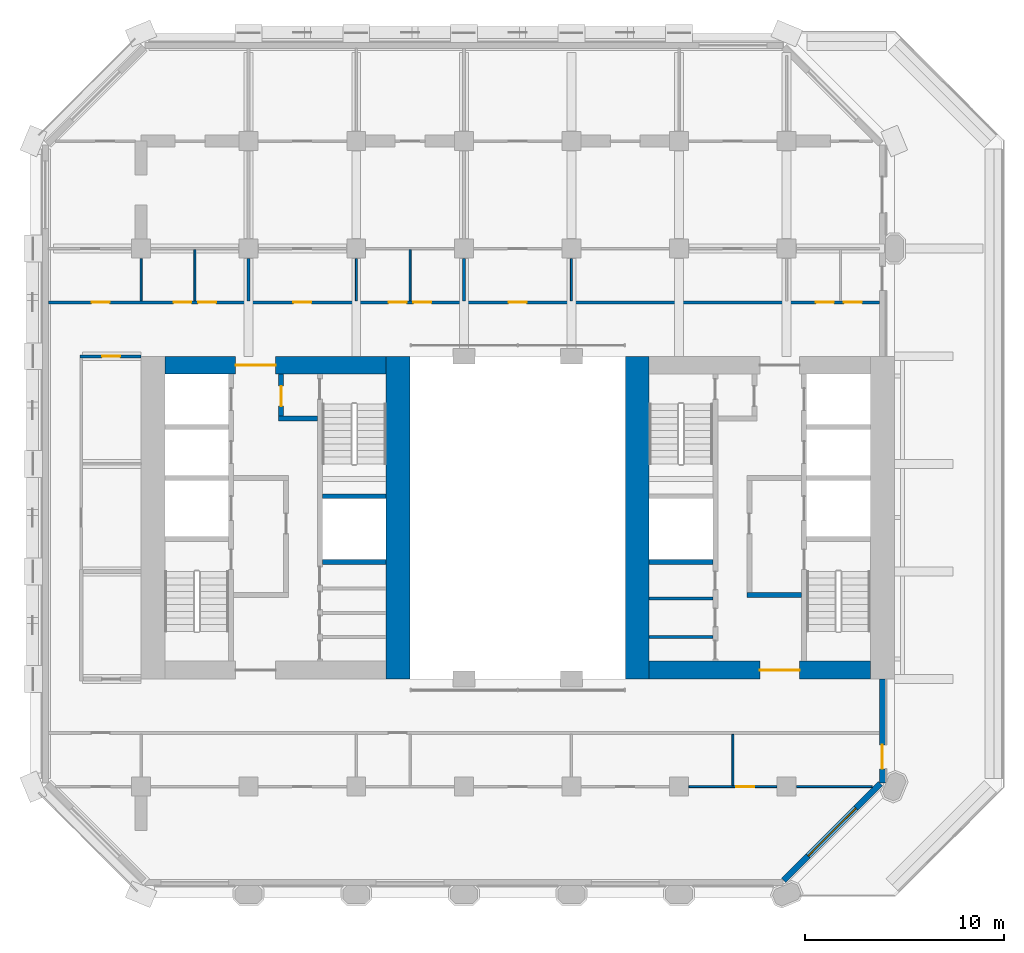
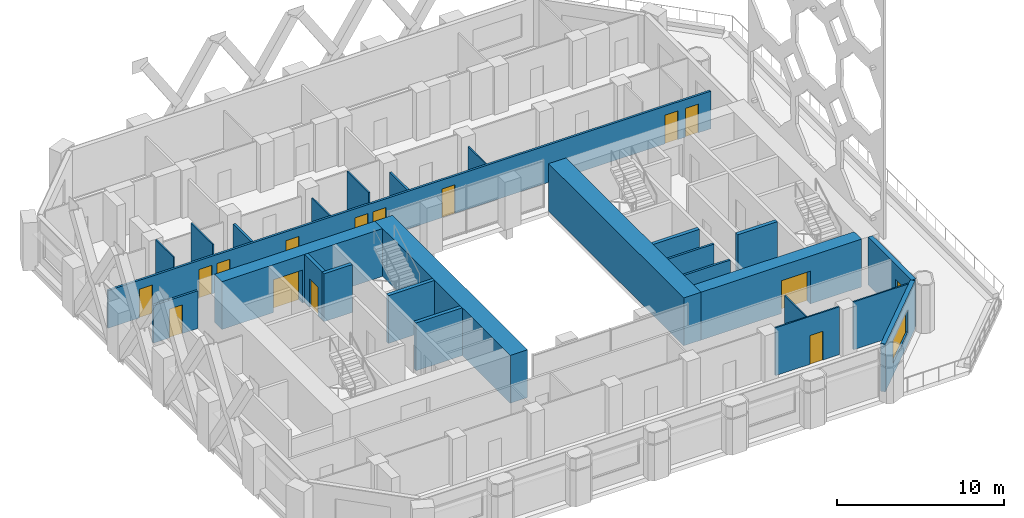
# One storey, part 8 of 14: 26 walls, 15 doors, 1 window, 16 openings.
"""IFC4 building model written with IfcOpenShell, lengths in metres."""

from ifc_helpers import new_model, si_unit, direction, frame, frame_2d, origin, place, context, subcontext, project, spatial, rectangle, extrude, material, layer, layer_set, type_object, element, fill, save


model = new_model("IFC4")

# Units and contexts
model_context = context("Model", 3, precision=1e-05, world=origin(), true_north=direction((0.0, 1.0)))
body_context = subcontext(model_context, "Body", "Model", "MODEL_VIEW")
ifc_project = project(units=[si_unit("LENGTHUNIT", "METRE"), si_unit("AREAUNIT", "SQUARE_METRE"), si_unit("VOLUMEUNIT", "CUBIC_METRE"), si_unit("PLANEANGLEUNIT", "RADIAN"), si_unit("MASSUNIT", "GRAM", prefix="KILO")], contexts=[model_context])

# Site, building, storey
site_placement = place(None, origin())
site = spatial("IfcSite", under=ifc_project, at=site_placement, CompositionType="ELEMENT")
building_placement = place(site_placement, origin())
building = spatial("IfcBuilding", under=site, at=building_placement, Name="Tabaq Tower and Sports Hall", CompositionType="ELEMENT")
storey_placement = place(building_placement, frame((0.0, 0.0, 95.39990234375)))
storey = spatial("IfcBuildingStorey", under=building, at=storey_placement, Name="L22", CompositionType="ELEMENT", Elevation=95.39990234375)

# Walls
ifc_material_1 = material(Name="Blockwork", Category="masonry")
ifc_layer_1 = layer(ifc_material_1, 0.14990234375)
ifc_layer_set_1 = layer_set([ifc_layer_1], Name="Core room partition 150 Blockwork")
wall_type_1 = type_object("IfcWallType", Name="Core room partition 150 Blockwork", PredefinedType="PARTITIONING", material=ifc_layer_set_1)
for number, where, z_axis, x_axis, name in (
    (1, (30.89990234375, 18.31201171875, 0.0), (0.0, 0.0, 1.0), (1.0, 0.0, 0.0), "Core room partition E L22"),
    (2, (30.89990234375, 20.251953125, 0.0), (0.0, 0.0, 1.0), (1.0, 0.0, 0.0), "Core room partition E L22"),
):
    element("IfcWall", number, at=place(storey_placement, frame(where, z_axis=z_axis, x_axis=x_axis)), inside=storey, type_object=wall_type_1, Name=name, PredefinedType="PARTITIONING", context=body_context, shape_type="SweptSolid", body=[
        extrude(rectangle(XDim=3.2001953125, YDim=0.14990234375, at=frame_2d((1.60009765625, 0.0))), origin(), (0.0, 0.0, 1.0), 3.5),
    ])
ifc_material_2 = material(Name="Concrete C60/75", Category="concrete")
ifc_layer_2 = layer(ifc_material_2, 1.199951171875)
ifc_layer_set_2 = layer_set([ifc_layer_2], Name="Core wall 1200 Concrete C60/75")
wall_type_2 = type_object("IfcWallType", Name="Core wall 1200 Concrete C60/75", PredefinedType="SOLIDWALL", material=ifc_layer_set_2)
for number, where, z_axis, x_axis, name in (
    (3, (18.300048828125, 32.39990234375, 0.0), (0.0, 0.0, 1.0), (0.0, -1.0, 0.0), "Core wall W L22"),
    (4, (30.300048828125, 16.199951171875, 0.0), (0.0, 0.0, 1.0), (0.0, 1.0, 0.0), "Core wall E L22"),
):
    element("IfcWall", number, at=place(storey_placement, frame(where, z_axis=z_axis, x_axis=x_axis)), inside=storey, type_object=wall_type_2, Name=name, PredefinedType="SOLIDWALL", context=body_context, shape_type="SweptSolid", body=[
        extrude(rectangle(XDim=16.199951171875, YDim=1.199951171875, at=frame_2d((8.10009765625, 0.0))), origin(), (0.0, 0.0, 1.0), 3.5),
    ])

# Wall, opening, door
ifc_material_3 = material(Name="Concrete C60/75", Category="concrete")
ifc_layer_3 = layer(ifc_material_3, 0.89990234375)
ifc_layer_set_3 = layer_set([ifc_layer_3], Name="Core wall 900 Concrete C60/75")
wall_type_3 = type_object("IfcWallType", Name="Core wall 900 Concrete C60/75", PredefinedType="SOLIDWALL", material=ifc_layer_set_3)
wall_1_placement = place(storey_placement, frame((6.60009765625, 31.949951171875, 0.0), z_axis=(0.0, 0.0, 1.0), x_axis=(1.0, 0.0, 0.0)))
wall_1 = element("IfcWall", 5, at=wall_1_placement, inside=storey, type_object=wall_type_3, Name="Core wall W L22", PredefinedType="SOLIDWALL", context=body_context, shape_type="SweptSolid", body=[
    extrude(rectangle(XDim=11.099853515625, YDim=0.89990234375, at=frame_2d((5.5498046875, 0.0))), origin(), (0.0, 0.0, 1.0), 3.5),
])
opening_1_placement = place(wall_1_placement, frame((3.550048828125, 0.0, 0.0)))
opening_1 = element("IfcOpeningElement", 6, at=opening_1_placement, cuts=wall_1, Name="Opening PD-WL22-02", PredefinedType="OPENING", context=body_context, shape_type="SweptSolid", body=[
    extrude(rectangle(XDim=2.0, YDim=2.39990234375, at=frame_2d((1.0, 1.199951171875))), frame((0.0, 0.449951171875, 0.0), z_axis=(0.0, -1.0, 0.0), x_axis=(1.0, 0.0, 0.0)), (0.0, 0.0, 1.0), 0.89990234375),
])
ifc_material_4 = material(Name="Steel fire door", Category="steel")
door_type_1 = type_object("IfcDoorType", Name="Core entrance door 2000", OperationType="DOUBLE_DOOR_SINGLE_SWING", PredefinedType="DOOR", material=ifc_material_4)
door_1_placement = place(opening_1_placement, origin())
door_1 = element("IfcDoor", 7, at=door_1_placement, inside=storey, type_object=door_type_1, Name="Core entrance north W L22", OperationType="DOUBLE_DOOR_SINGLE_SWING", OverallHeight=2.39990234375, OverallWidth=2.0, PredefinedType="DOOR", context=body_context, shape_type="SweptSolid", body=[
    extrude(rectangle(XDim=2.0, YDim=2.39990234375, at=frame_2d((1.0, 1.199951171875))), frame((0.0, 0.02490234375, 0.0), z_axis=(0.0, -1.0, 0.0), x_axis=(1.0, 0.0, 0.0)), (0.0, 0.0, 1.0), 0.050048828125),
])
fill(opening_1, door_1)

wall_2_placement = place(storey_placement, frame((42.0, 16.64990234375, 0.0), z_axis=(0.0, 0.0, 1.0), x_axis=(-1.0, 0.0, 0.0)))
wall_2 = element("IfcWall", 8, at=wall_2_placement, inside=storey, type_object=wall_type_3, Name="Core wall E L22", PredefinedType="SOLIDWALL", context=body_context, shape_type="SweptSolid", body=[
    extrude(rectangle(XDim=11.10009765625, YDim=0.89990234375, at=frame_2d((5.550048828125, 0.0))), origin(), (0.0, 0.0, 1.0), 3.5),
])
opening_2_placement = place(wall_2_placement, frame((3.550048828125, 0.0, 0.0)))
opening_2 = element("IfcOpeningElement", 9, at=opening_2_placement, cuts=wall_2, Name="Opening PD-EL22-01", PredefinedType="OPENING", context=body_context, shape_type="SweptSolid", body=[
    extrude(rectangle(XDim=2.0, YDim=2.39990234375, at=frame_2d((1.0, 1.199951171875))), frame((0.0, 0.449951171875, 0.0), z_axis=(0.0, -1.0, 0.0), x_axis=(1.0, 0.0, 0.0)), (0.0, 0.0, 1.0), 0.89990234375),
])
door_2_placement = place(opening_2_placement, origin())
door_2 = element("IfcDoor", 10, at=door_2_placement, inside=storey, type_object=door_type_1, Name="Core entrance south E L22", OperationType="DOUBLE_DOOR_SINGLE_SWING", OverallHeight=2.39990234375, OverallWidth=2.0, PredefinedType="DOOR", context=body_context, shape_type="SweptSolid", body=[
    extrude(rectangle(XDim=2.0, YDim=2.39990234375, at=frame_2d((1.0, 1.199951171875))), frame((0.0, 0.02490234375, 0.0), z_axis=(0.0, -1.0, 0.0), x_axis=(1.0, 0.0, 0.0)), (0.0, 0.0, 1.0), 0.050048828125),
])
fill(opening_2, door_2)

# Walls
ifc_material_5 = material(Name="Gypsum board on steel studs", Category="steel")
ifc_layer_4 = layer(ifc_material_5, 0.10009765625)
ifc_layer_set_4 = layer_set([ifc_layer_4], Name="Partition 100 Gypsum board")
wall_type_4 = type_object("IfcWallType", Name="Partition 100 Gypsum board", PredefinedType="PARTITIONING", material=ifc_layer_set_4)
wall_3_placement = place(storey_placement, frame((5.39990234375, 37.304931640625, 0.0), z_axis=(0.0, 0.0, 1.0), x_axis=(0.0, -1.0, 0.0)))
element("IfcWall", 11, at=wall_3_placement, inside=storey, type_object=wall_type_4, Name="Partition wall L22", PredefinedType="PARTITIONING", context=body_context, shape_type="SweptSolid", body=[
    extrude(rectangle(XDim=2.1298828125, YDim=0.10009765625, at=frame_2d((1.06494140625, 0.0))), origin(), (0.0, 0.0, 1.0), 3.5),
])
wall_4_placement = place(storey_placement, frame((8.10009765625, 35.175048828125, 0.0), z_axis=(0.0, 0.0, 1.0), x_axis=(0.0, 1.0, 0.0)))
element("IfcWall", 12, at=wall_4_placement, inside=storey, type_object=wall_type_4, Name="Partition wall L22", PredefinedType="PARTITIONING", context=body_context, shape_type="SweptSolid", body=[
    extrude(rectangle(XDim=2.574951171875, YDim=0.10009765625, at=frame_2d((1.28759765625, 0.0))), origin(), (0.0, 0.0, 1.0), 3.5),
])
wall_5_placement = place(storey_placement, frame((16.199951171875, 35.175048828125, 0.0), z_axis=(0.0, 0.0, 1.0), x_axis=(0.0, 1.0, 0.0)))
element("IfcWall", 13, at=wall_5_placement, inside=storey, type_object=wall_type_4, Name="Partition wall L22", PredefinedType="PARTITIONING", context=body_context, shape_type="SweptSolid", body=[
    extrude(rectangle(XDim=2.1298828125, YDim=0.10009765625, at=frame_2d((1.06494140625, 0.0))), origin(), (0.0, 0.0, 1.0), 2.75),
])
wall_6_placement = place(storey_placement, frame((18.89990234375, 35.175048828125, 0.0), z_axis=(0.0, 0.0, 1.0), x_axis=(0.0, 1.0, 0.0)))
element("IfcWall", 14, at=wall_6_placement, inside=storey, type_object=wall_type_4, Name="Partition wall L22", PredefinedType="PARTITIONING", context=body_context, shape_type="SweptSolid", body=[
    extrude(rectangle(XDim=2.574951171875, YDim=0.10009765625, at=frame_2d((1.28759765625, 0.0))), origin(), (0.0, 0.0, 1.0), 3.5),
])
wall_7_placement = place(storey_placement, frame((27.0, 35.175048828125, 0.0), z_axis=(0.0, 0.0, 1.0), x_axis=(0.0, 1.0, 0.0)))
element("IfcWall", 15, at=wall_7_placement, inside=storey, type_object=wall_type_4, Name="Partition wall L22", PredefinedType="PARTITIONING", context=body_context, shape_type="SweptSolid", body=[
    extrude(rectangle(XDim=2.1298828125, YDim=0.10009765625, at=frame_2d((1.06494140625, 0.0))), origin(), (0.0, 0.0, 1.0), 2.75),
])
wall_8_placement = place(storey_placement, frame((35.10009765625, 10.85009765625, 0.0), z_axis=(0.0, 0.0, 1.0), x_axis=(0.0, 1.0, 0.0)))
element("IfcWall", 16, at=wall_8_placement, inside=storey, type_object=wall_type_4, Name="Partition wall L22", PredefinedType="PARTITIONING", context=body_context, shape_type="SweptSolid", body=[
    extrude(rectangle(XDim=2.574951171875, YDim=0.10009765625, at=frame_2d((1.28759765625, 0.0))), origin(), (0.0, 0.0, 1.0), 3.5),
])

# Wall, opening, door
wall_9_placement = place(storey_placement, frame((32.89501953125, 10.800048828125, 0.0), z_axis=(0.0, 0.0, 1.0), x_axis=(1.0, 0.0, 0.0)))
wall_9 = element("IfcWall", 17, at=wall_9_placement, inside=storey, type_object=wall_type_4, Name="Partition wall L22", PredefinedType="PARTITIONING", context=body_context, shape_type="SweptSolid", body=[
    extrude(rectangle(XDim=4.409912109375, YDim=0.10009765625, at=frame_2d((2.205078125, 0.0))), origin(), (0.0, 0.0, 1.0), 3.5),
])
opening_3_placement = place(wall_9_placement, frame((2.375, 0.0, 0.0)))
opening_3 = element("IfcOpeningElement", 18, at=opening_3_placement, cuts=wall_9, Name="Opening L22-020", PredefinedType="OPENING", context=body_context, shape_type="SweptSolid", body=[
    extrude(rectangle(XDim=0.89990234375, YDim=2.10009765625, at=frame_2d((0.449951171875, 1.050048828125))), frame((0.0, 0.050048828125, 0.0), z_axis=(0.0, -1.0, 0.0), x_axis=(1.0, 0.0, 0.0)), (0.0, 0.0, 1.0), 0.10009765625),
])
ifc_material_6 = material(Name="Timber leaf in steel frame", Category="steel")
door_type_2 = type_object("IfcDoorType", Name="Internal door 900 right hand", OperationType="SINGLE_SWING_RIGHT", PredefinedType="DOOR", material=ifc_material_6)
door_3_placement = place(opening_3_placement, origin())
door_3 = element("IfcDoor", 19, at=door_3_placement, inside=storey, type_object=door_type_2, Name="Internal door L22-020", OperationType="SINGLE_SWING_RIGHT", OverallHeight=2.10009765625, OverallWidth=0.89990234375, PredefinedType="DOOR", context=body_context, shape_type="SweptSolid", body=[
    extrude(rectangle(XDim=0.89990234375, YDim=2.10009765625, at=frame_2d((0.449951171875, 1.050048828125))), frame((0.0, 0.02490234375, 0.0), z_axis=(0.0, -1.0, 0.0), x_axis=(1.0, 0.0, 0.0)), (0.0, 0.0, 1.0), 0.050048828125),
])
fill(opening_3, door_3)

# Wall
wall_10_placement = place(storey_placement, frame((38.294921875, 10.800048828125, 0.0), z_axis=(0.0, 0.0, 1.0), x_axis=(1.0, 0.0, 0.0)))
element("IfcWall", 20, at=wall_10_placement, inside=storey, type_object=wall_type_4, Name="Partition wall L22", PredefinedType="PARTITIONING", context=body_context, shape_type="SweptSolid", body=[
    extrude(rectangle(XDim=3.79296875, YDim=0.10009765625, at=frame_2d((1.896484375, 0.0))), origin(), (0.0, 0.0, 1.0), 3.5),
])

# Wall, openings, doors
ifc_material_7 = material(Name="Blockwork", Category="masonry")
ifc_layer_5 = layer(ifc_material_7, 0.14990234375)
ifc_layer_set_5 = layer_set([ifc_layer_5], Name="Separating wall 150 Blockwork")
wall_type_5 = type_object("IfcWallType", Name="Separating wall 150 Blockwork", PredefinedType="PARTITIONING", material=ifc_layer_set_5)
wall_11_placement = place(storey_placement, frame((0.7509765625, 35.10009765625, 0.0), z_axis=(0.0, 0.0, 1.0), x_axis=(1.0, 0.0, 0.0)))
wall_11 = element("IfcWall", 21, at=wall_11_placement, inside=storey, type_object=wall_type_5, Name="Separating wall L22", PredefinedType="PARTITIONING", context=body_context, shape_type="SweptSolid", body=[
    extrude(rectangle(XDim=41.697998046875, YDim=0.14990234375, at=frame_2d((20.84912109375, 0.0))), origin(), (0.0, 0.0, 1.0), 2.75),
])
opening_4_placement = place(wall_11_placement, frame((6.279052734375, 0.0, 0.0)))
opening_4 = element("IfcOpeningElement", 22, at=opening_4_placement, cuts=wall_11, Name="Opening L22-001", PredefinedType="OPENING", context=body_context, shape_type="SweptSolid", body=[
    extrude(rectangle(XDim=0.89990234375, YDim=2.10009765625, at=frame_2d((0.449951171875, 1.050048828125))), frame((0.0, 0.074951171875, 0.0), z_axis=(0.0, -1.0, 0.0), x_axis=(1.0, 0.0, 0.0)), (0.0, 0.0, 1.0), 0.14990234375),
])
opening_5_placement = place(wall_11_placement, frame((7.51904296875, 0.0, 0.0)))
opening_5 = element("IfcOpeningElement", 23, at=opening_5_placement, cuts=wall_11, Name="Opening L22-002", PredefinedType="OPENING", context=body_context, shape_type="SweptSolid", body=[
    extrude(rectangle(XDim=0.89990234375, YDim=2.10009765625, at=frame_2d((0.449951171875, 1.050048828125))), frame((0.0, 0.074951171875, 0.0), z_axis=(0.0, -1.0, 0.0), x_axis=(1.0, 0.0, 0.0)), (0.0, 0.0, 1.0), 0.14990234375),
])
opening_6_placement = place(wall_11_placement, frame((17.0791015625, 0.0, 0.0)))
opening_6 = element("IfcOpeningElement", 24, at=opening_6_placement, cuts=wall_11, Name="Opening L22-003", PredefinedType="OPENING", context=body_context, shape_type="SweptSolid", body=[
    extrude(rectangle(XDim=0.89990234375, YDim=2.10009765625, at=frame_2d((0.449951171875, 1.050048828125))), frame((0.0, 0.074951171875, 0.0), z_axis=(0.0, -1.0, 0.0), x_axis=(1.0, 0.0, 0.0)), (0.0, 0.0, 1.0), 0.14990234375),
])
opening_7_placement = place(wall_11_placement, frame((18.319091796875, 0.0, 0.0)))
opening_7 = element("IfcOpeningElement", 25, at=opening_7_placement, cuts=wall_11, Name="Opening L22-004", PredefinedType="OPENING", context=body_context, shape_type="SweptSolid", body=[
    extrude(rectangle(XDim=0.89990234375, YDim=2.10009765625, at=frame_2d((0.449951171875, 1.050048828125))), frame((0.0, 0.074951171875, 0.0), z_axis=(0.0, -1.0, 0.0), x_axis=(1.0, 0.0, 0.0)), (0.0, 0.0, 1.0), 0.14990234375),
])
opening_8_placement = place(wall_11_placement, frame((38.511474609375, 0.0, 0.0)))
opening_8 = element("IfcOpeningElement", 26, at=opening_8_placement, cuts=wall_11, Name="Opening L22-005", PredefinedType="OPENING", context=body_context, shape_type="SweptSolid", body=[
    extrude(rectangle(XDim=0.89990234375, YDim=2.10009765625, at=frame_2d((0.449951171875, 1.050048828125))), frame((0.0, 0.074951171875, 0.0), z_axis=(0.0, -1.0, 0.0), x_axis=(1.0, 0.0, 0.0)), (0.0, 0.0, 1.0), 0.14990234375),
])
opening_9_placement = place(wall_11_placement, frame((39.9189453125, 0.0, 0.0)))
opening_9 = element("IfcOpeningElement", 27, at=opening_9_placement, cuts=wall_11, Name="Opening L22-006", PredefinedType="OPENING", context=body_context, shape_type="SweptSolid", body=[
    extrude(rectangle(XDim=0.89990234375, YDim=2.10009765625, at=frame_2d((0.449951171875, 1.050048828125))), frame((0.0, 0.074951171875, 0.0), z_axis=(0.0, -1.0, 0.0), x_axis=(1.0, 0.0, 0.0)), (0.0, 0.0, 1.0), 0.14990234375),
])
opening_10_placement = place(wall_11_placement, frame((2.174072265625, 0.0, 0.0)))
opening_10 = element("IfcOpeningElement", 28, at=opening_10_placement, cuts=wall_11, Name="Opening L22-021", PredefinedType="OPENING", context=body_context, shape_type="SweptSolid", body=[
    extrude(rectangle(XDim=0.89990234375, YDim=2.10009765625, at=frame_2d((0.449951171875, 1.050048828125))), frame((0.0, 0.074951171875, 0.0), z_axis=(0.0, -1.0, 0.0), x_axis=(1.0, 0.0, 0.0)), (0.0, 0.0, 1.0), 0.14990234375),
])
opening_11_placement = place(wall_11_placement, frame((12.299072265625, 0.0, 0.0)))
opening_11 = element("IfcOpeningElement", 29, at=opening_11_placement, cuts=wall_11, Name="Opening L22-022", PredefinedType="OPENING", context=body_context, shape_type="SweptSolid", body=[
    extrude(rectangle(XDim=0.89990234375, YDim=2.10009765625, at=frame_2d((0.449951171875, 1.050048828125))), frame((0.0, 0.074951171875, 0.0), z_axis=(0.0, -1.0, 0.0), x_axis=(1.0, 0.0, 0.0)), (0.0, 0.0, 1.0), 0.14990234375),
])
opening_12_placement = place(wall_11_placement, frame((23.09912109375, 0.0, 0.0)))
opening_12 = element("IfcOpeningElement", 30, at=opening_12_placement, cuts=wall_11, Name="Opening L22-023", PredefinedType="OPENING", context=body_context, shape_type="SweptSolid", body=[
    extrude(rectangle(XDim=0.89990234375, YDim=2.10009765625, at=frame_2d((0.449951171875, 1.050048828125))), frame((0.0, 0.074951171875, 0.0), z_axis=(0.0, -1.0, 0.0), x_axis=(1.0, 0.0, 0.0)), (0.0, 0.0, 1.0), 0.14990234375),
])
ifc_material_8 = material(Name="Steel fire door", Category="steel")
door_type_3 = type_object("IfcDoorType", Name="Entrance door 900 right hand", OperationType="SINGLE_SWING_RIGHT", PredefinedType="DOOR", material=ifc_material_8)
door_4_placement = place(opening_4_placement, origin())
door_4 = element("IfcDoor", 31, at=door_4_placement, inside=storey, type_object=door_type_3, Name="Entrance door L22-001", OperationType="SINGLE_SWING_RIGHT", OverallHeight=2.10009765625, OverallWidth=0.89990234375, PredefinedType="DOOR", context=body_context, shape_type="SweptSolid", body=[
    extrude(rectangle(XDim=0.89990234375, YDim=2.10009765625, at=frame_2d((0.449951171875, 1.050048828125))), frame((0.0, 0.02490234375, 0.0), z_axis=(0.0, -1.0, 0.0), x_axis=(1.0, 0.0, 0.0)), (0.0, 0.0, 1.0), 0.050048828125),
])
fill(opening_4, door_4)
door_5_placement = place(opening_5_placement, origin())
door_5 = element("IfcDoor", 32, at=door_5_placement, inside=storey, type_object=door_type_3, Name="Entrance door L22-002", OperationType="SINGLE_SWING_RIGHT", OverallHeight=2.10009765625, OverallWidth=0.89990234375, PredefinedType="DOOR", context=body_context, shape_type="SweptSolid", body=[
    extrude(rectangle(XDim=0.89990234375, YDim=2.10009765625, at=frame_2d((0.449951171875, 1.050048828125))), frame((0.0, 0.02490234375, 0.0), z_axis=(0.0, -1.0, 0.0), x_axis=(1.0, 0.0, 0.0)), (0.0, 0.0, 1.0), 0.050048828125),
])
fill(opening_5, door_5)
door_6_placement = place(opening_6_placement, origin())
door_6 = element("IfcDoor", 33, at=door_6_placement, inside=storey, type_object=door_type_3, Name="Entrance door L22-003", OperationType="SINGLE_SWING_RIGHT", OverallHeight=2.10009765625, OverallWidth=0.89990234375, PredefinedType="DOOR", context=body_context, shape_type="SweptSolid", body=[
    extrude(rectangle(XDim=0.89990234375, YDim=2.10009765625, at=frame_2d((0.449951171875, 1.050048828125))), frame((0.0, 0.02490234375, 0.0), z_axis=(0.0, -1.0, 0.0), x_axis=(1.0, 0.0, 0.0)), (0.0, 0.0, 1.0), 0.050048828125),
])
fill(opening_6, door_6)
door_7_placement = place(opening_7_placement, origin())
door_7 = element("IfcDoor", 34, at=door_7_placement, inside=storey, type_object=door_type_3, Name="Entrance door L22-004", OperationType="SINGLE_SWING_RIGHT", OverallHeight=2.10009765625, OverallWidth=0.89990234375, PredefinedType="DOOR", context=body_context, shape_type="SweptSolid", body=[
    extrude(rectangle(XDim=0.89990234375, YDim=2.10009765625, at=frame_2d((0.449951171875, 1.050048828125))), frame((0.0, 0.02490234375, 0.0), z_axis=(0.0, -1.0, 0.0), x_axis=(1.0, 0.0, 0.0)), (0.0, 0.0, 1.0), 0.050048828125),
])
fill(opening_7, door_7)
door_8_placement = place(opening_8_placement, origin())
door_8 = element("IfcDoor", 35, at=door_8_placement, inside=storey, type_object=door_type_3, Name="Entrance door L22-005", OperationType="SINGLE_SWING_RIGHT", OverallHeight=2.10009765625, OverallWidth=0.89990234375, PredefinedType="DOOR", context=body_context, shape_type="SweptSolid", body=[
    extrude(rectangle(XDim=0.89990234375, YDim=2.10009765625, at=frame_2d((0.449951171875, 1.050048828125))), frame((0.0, 0.02490234375, 0.0), z_axis=(0.0, -1.0, 0.0), x_axis=(1.0, 0.0, 0.0)), (0.0, 0.0, 1.0), 0.050048828125),
])
fill(opening_8, door_8)
door_9_placement = place(opening_9_placement, origin())
door_9 = element("IfcDoor", 36, at=door_9_placement, inside=storey, type_object=door_type_3, Name="Entrance door L22-006", OperationType="SINGLE_SWING_RIGHT", OverallHeight=2.10009765625, OverallWidth=0.89990234375, PredefinedType="DOOR", context=body_context, shape_type="SweptSolid", body=[
    extrude(rectangle(XDim=0.89990234375, YDim=2.10009765625, at=frame_2d((0.449951171875, 1.050048828125))), frame((0.0, 0.02490234375, 0.0), z_axis=(0.0, -1.0, 0.0), x_axis=(1.0, 0.0, 0.0)), (0.0, 0.0, 1.0), 0.050048828125),
])
fill(opening_9, door_9)
door_10_placement = place(opening_10_placement, origin())
door_10 = element("IfcDoor", 37, at=door_10_placement, inside=storey, type_object=door_type_3, Name="Entrance door L22-021", OperationType="SINGLE_SWING_RIGHT", OverallHeight=2.10009765625, OverallWidth=0.89990234375, PredefinedType="DOOR", context=body_context, shape_type="SweptSolid", body=[
    extrude(rectangle(XDim=0.89990234375, YDim=2.10009765625, at=frame_2d((0.449951171875, 1.050048828125))), frame((0.0, 0.02490234375, 0.0), z_axis=(0.0, -1.0, 0.0), x_axis=(1.0, 0.0, 0.0)), (0.0, 0.0, 1.0), 0.050048828125),
])
fill(opening_10, door_10)
door_11_placement = place(opening_11_placement, origin())
door_11 = element("IfcDoor", 38, at=door_11_placement, inside=storey, type_object=door_type_3, Name="Entrance door L22-022", OperationType="SINGLE_SWING_RIGHT", OverallHeight=2.10009765625, OverallWidth=0.89990234375, PredefinedType="DOOR", context=body_context, shape_type="SweptSolid", body=[
    extrude(rectangle(XDim=0.89990234375, YDim=2.10009765625, at=frame_2d((0.449951171875, 1.050048828125))), frame((0.0, 0.02490234375, 0.0), z_axis=(0.0, -1.0, 0.0), x_axis=(1.0, 0.0, 0.0)), (0.0, 0.0, 1.0), 0.050048828125),
])
fill(opening_11, door_11)
door_12_placement = place(opening_12_placement, origin())
door_12 = element("IfcDoor", 39, at=door_12_placement, inside=storey, type_object=door_type_3, Name="Entrance door L22-023", OperationType="SINGLE_SWING_RIGHT", OverallHeight=2.10009765625, OverallWidth=0.89990234375, PredefinedType="DOOR", context=body_context, shape_type="SweptSolid", body=[
    extrude(rectangle(XDim=0.89990234375, YDim=2.10009765625, at=frame_2d((0.449951171875, 1.050048828125))), frame((0.0, 0.02490234375, 0.0), z_axis=(0.0, -1.0, 0.0), x_axis=(1.0, 0.0, 0.0)), (0.0, 0.0, 1.0), 0.050048828125),
])
fill(opening_12, door_12)

# Wall, opening, door
wall_12_placement = place(storey_placement, frame((5.39990234375, 32.39990234375, 0.0), z_axis=(0.0, 0.0, 1.0), x_axis=(-1.0, 0.0, 0.0)))
wall_12 = element("IfcWall", 40, at=wall_12_placement, inside=storey, type_object=wall_type_5, Name="Separating wall L22", PredefinedType="PARTITIONING", context=body_context, shape_type="SweptSolid", body=[
    extrude(rectangle(XDim=3.074951171875, YDim=0.14990234375, at=frame_2d((1.53759765625, 0.0))), origin(), (0.0, 0.0, 1.0), 2.75),
])
opening_13_placement = place(wall_12_placement, frame((1.050048828125, 0.0, 0.0)))
opening_13 = element("IfcOpeningElement", 41, at=opening_13_placement, cuts=wall_12, Name="Opening L22-010", PredefinedType="OPENING", context=body_context, shape_type="SweptSolid", body=[
    extrude(rectangle(XDim=0.89990234375, YDim=2.10009765625, at=frame_2d((0.449951171875, 1.050048828125))), frame((0.0, 0.074951171875, 0.0), z_axis=(0.0, -1.0, 0.0), x_axis=(1.0, 0.0, 0.0)), (0.0, 0.0, 1.0), 0.14990234375),
])
ifc_material_9 = material(Name="Timber leaf in steel frame", Category="steel")
door_type_4 = type_object("IfcDoorType", Name="Internal door 900 left hand", OperationType="SINGLE_SWING_LEFT", PredefinedType="DOOR", material=ifc_material_9)
door_13_placement = place(opening_13_placement, origin())
door_13 = element("IfcDoor", 42, at=door_13_placement, inside=storey, type_object=door_type_4, Name="Internal door L22-010", OperationType="SINGLE_SWING_LEFT", OverallHeight=2.10009765625, OverallWidth=0.89990234375, PredefinedType="DOOR", context=body_context, shape_type="SweptSolid", body=[
    extrude(rectangle(XDim=0.89990234375, YDim=2.10009765625, at=frame_2d((0.449951171875, 1.050048828125))), frame((0.0, 0.02490234375, 0.0), z_axis=(0.0, -1.0, 0.0), x_axis=(1.0, 0.0, 0.0)), (0.0, 0.0, 1.0), 0.050048828125),
])
fill(opening_13, door_13)

# Walls
for number, where, z_axis, x_axis, name in (
    (43, (10.800048828125, 35.175048828125, 0.0), (0.0, 0.0, 1.0), (0.0, 1.0, 0.0), "Separating wall L22"),
    (44, (21.60009765625, 35.175048828125, 0.0), (0.0, 0.0, 1.0), (0.0, 1.0, 0.0), "Separating wall L22"),
):
    element("IfcWall", number, at=place(storey_placement, frame(where, z_axis=z_axis, x_axis=x_axis)), inside=storey, type_object=wall_type_5, Name=name, PredefinedType="PARTITIONING", context=body_context, shape_type="SweptSolid", body=[
        extrude(rectangle(XDim=2.1298828125, YDim=0.14990234375, at=frame_2d((1.06494140625, 0.0))), origin(), (0.0, 0.0, 1.0), 2.75),
    ])
ifc_material_10 = material(Name="Concrete C40/50", Category="concrete")
ifc_layer_6 = layer(ifc_material_10, 0.25)
ifc_layer_set_6 = layer_set([ifc_layer_6], Name="Shaft and stair wall 250 Concrete C40/50")
wall_type_6 = type_object("IfcWallType", Name="Shaft and stair wall 250 Concrete C40/50", PredefinedType="SOLIDWALL", material=ifc_layer_set_6)
for number, where, z_axis, x_axis, name in (
    (45, (14.5, 25.375, 0.0), (0.0, 0.0, 1.0), (1.0, 0.0, 0.0), "Stair enclosure wall W L22"),
    (46, (14.5, 22.074951171875, 0.0), (0.0, 0.0, 1.0), (1.0, 0.0, 0.0), "Shaft wall W L22"),
):
    element("IfcWall", number, at=place(storey_placement, frame(where, z_axis=z_axis, x_axis=x_axis)), inside=storey, type_object=wall_type_6, Name=name, PredefinedType="SOLIDWALL", context=body_context, shape_type="SweptSolid", body=[
        extrude(rectangle(XDim=3.199951171875, YDim=0.25, at=frame_2d((1.60009765625, 0.0))), origin(), (0.0, 0.0, 1.0), 3.5),
    ])

# Wall, opening, door
wall_13_placement = place(storey_placement, frame((12.425048828125, 29.39990234375, 0.0), z_axis=(0.0, 0.0, 1.0), x_axis=(0.0, 1.0, 0.0)))
wall_13 = element("IfcWall", 47, at=wall_13_placement, inside=storey, type_object=wall_type_6, Name="Fire-fighting lobby wall W L22", PredefinedType="SOLIDWALL", context=body_context, shape_type="SweptSolid", body=[
    extrude(rectangle(XDim=2.10009765625, YDim=0.25, at=frame_2d((1.050048828125, 0.0))), origin(), (0.0, 0.0, 1.0), 3.5),
])
opening_14_placement = place(wall_13_placement, frame((0.5, 0.0, 0.0)))
opening_14 = element("IfcOpeningElement", 48, at=opening_14_placement, cuts=wall_13, Name="Opening FD-WL22-06", PredefinedType="OPENING", context=body_context, shape_type="SweptSolid", body=[
    extrude(rectangle(XDim=1.0, YDim=2.10009765625, at=frame_2d((0.5, 1.050048828125))), frame((0.0, 0.125, 0.0), z_axis=(0.0, -1.0, 0.0), x_axis=(1.0, 0.0, 0.0)), (0.0, 0.0, 1.0), 0.25),
])
ifc_material_11 = material(Name="Steel fire door", Category="steel")
door_type_5 = type_object("IfcDoorType", Name="Fire-fighting lobby door 1000", OperationType="SINGLE_SWING_LEFT", PredefinedType="DOOR", material=ifc_material_11)
door_14_placement = place(opening_14_placement, origin())
door_14 = element("IfcDoor", 49, at=door_14_placement, inside=storey, type_object=door_type_5, Name="Stair lobby door W L22", OperationType="SINGLE_SWING_LEFT", OverallHeight=2.10009765625, OverallWidth=1.0, PredefinedType="DOOR", context=body_context, shape_type="SweptSolid", body=[
    extrude(rectangle(XDim=1.0, YDim=2.10009765625, at=frame_2d((0.5, 1.050048828125))), frame((0.0, 0.02490234375, 0.0), z_axis=(0.0, -1.0, 0.0), x_axis=(1.0, 0.0, 0.0)), (0.0, 0.0, 1.0), 0.050048828125),
])
fill(opening_14, door_14)

# Walls
wall_14_placement = place(storey_placement, frame((12.300048828125, 29.27490234375, 0.0), z_axis=(0.0, 0.0, 1.0), x_axis=(1.0, 0.0, 0.0)))
element("IfcWall", 50, at=wall_14_placement, inside=storey, type_object=wall_type_6, Name="Fire-fighting lobby wall W L22", PredefinedType="SOLIDWALL", context=body_context, shape_type="SweptSolid", body=[
    extrude(rectangle(XDim=1.949951171875, YDim=0.25, at=frame_2d((0.97509765625, 0.0))), origin(), (0.0, 0.0, 1.0), 3.5),
])
wall_15_placement = place(storey_placement, frame((30.89990234375, 22.074951171875, 0.0), z_axis=(0.0, 0.0, 1.0), x_axis=(1.0, 0.0, 0.0)))
element("IfcWall", 51, at=wall_15_placement, inside=storey, type_object=wall_type_6, Name="Shaft wall E L22", PredefinedType="SOLIDWALL", context=body_context, shape_type="SweptSolid", body=[
    extrude(rectangle(XDim=3.2001953125, YDim=0.25, at=frame_2d((1.60009765625, 0.0))), origin(), (0.0, 0.0, 1.0), 3.5),
])
wall_16_placement = place(storey_placement, frame((35.800048828125, 20.425048828125, 0.0), z_axis=(0.0, 0.0, 1.0), x_axis=(1.0, 0.0, 0.0)))
element("IfcWall", 52, at=wall_16_placement, inside=storey, type_object=wall_type_6, Name="Fire-fighting lobby wall E L22", PredefinedType="SOLIDWALL", context=body_context, shape_type="SweptSolid", body=[
    extrude(rectangle(XDim=2.75, YDim=0.25, at=frame_2d((1.375, 0.0))), origin(), (0.0, 0.0, 1.0), 3.5),
])

# Wall, opening, window
ifc_material_12 = material(Name="White precast concrete C60/75", Category="concrete")
ifc_layer_7 = layer(ifc_material_12, 0.300048828125)
ifc_layer_set_7 = layer_set([ifc_layer_7], Name="White precast concrete C60/75 external wall 300")
wall_type_7 = type_object("IfcWallType", Name="White precast concrete C60/75 external wall 300", PredefinedType="SOLIDWALL", material=ifc_layer_set_7)
wall_17_placement = place(storey_placement, frame((37.650390625, 6.098876953125, 0.0), z_axis=(0.0, 0.0, 1.0), x_axis=(0.707106781187, 0.707106781187, 0.0)))
wall_17 = element("IfcWall", 53, at=wall_17_placement, inside=storey, type_object=wall_type_7, Name="External Wall L22 SE", PredefinedType="SOLIDWALL", context=body_context, shape_type="SweptSolid", body=[
    extrude(rectangle(XDim=6.85986328125, YDim=0.300048828125, at=frame_2d((3.429931640625, 0.0))), origin(), (0.0, 0.0, 1.0), 3.5),
])
opening_15_placement = place(wall_17_placement, frame((1.729736328125, 0.0, 0.89990234375)))
opening_15 = element("IfcOpeningElement", 54, at=opening_15_placement, cuts=wall_17, Name="Opening W1A", PredefinedType="OPENING", context=body_context, shape_type="SweptSolid", body=[
    extrude(rectangle(XDim=3.39990234375, YDim=1.699951171875, at=frame_2d((1.699951171875, 0.85009765625))), frame((0.0, 0.16015625, 0.0), z_axis=(0.0, -1.0, 0.0), x_axis=(1.0, 0.0, 0.0)), (0.0, 0.0, 1.0), 0.320068359375),
])
ifc_material_13 = material(Name="Aluminium framed clear glazing", Category="aluminium")
window_type = type_object("IfcWindowType", Name="Window W1A", PartitioningType="SINGLE_PANEL", PredefinedType="WINDOW", material=ifc_material_13)
window_placement = place(opening_15_placement, origin())
window = element("IfcWindow", 55, at=window_placement, inside=storey, type_object=window_type, Name="Window W1A L22", OverallHeight=1.699951171875, OverallWidth=3.39990234375, PartitioningType="SINGLE_PANEL", PredefinedType="WINDOW", context=body_context, shape_type="SweptSolid", body=[
    extrude(rectangle(XDim=3.39990234375, YDim=1.699951171875, at=frame_2d((1.699951171875, 0.85009765625))), frame((0.0, 0.030029296875, 0.0), z_axis=(0.0, -1.0, 0.0), x_axis=(1.0, 0.0, 0.0)), (0.0, 0.0, 1.0), 0.06005859375),
])
fill(opening_15, window)

# Wall, opening, door
wall_18_placement = place(storey_placement, frame((42.60009765625, 10.986328125, 0.0), z_axis=(0.0, 0.0, 1.0), x_axis=(0.0, 1.0, 0.0)))
wall_18 = element("IfcWall", 56, at=wall_18_placement, inside=storey, type_object=wall_type_7, Name="External Wall L22 E", PredefinedType="SOLIDWALL", context=body_context, shape_type="SweptSolid", body=[
    extrude(rectangle(XDim=5.213623046875, YDim=0.300048828125, at=frame_2d((2.60693359375, 0.0))), origin(), (0.0, 0.0, 1.0), 3.5),
])
opening_16_placement = place(wall_18_placement, frame((0.713623046875, 0.0, 0.0)))
opening_16 = element("IfcOpeningElement", 57, at=opening_16_placement, cuts=wall_18, Name="Opening TD2201", PredefinedType="OPENING", context=body_context, shape_type="SweptSolid", body=[
    extrude(rectangle(XDim=1.199951171875, YDim=2.39990234375, at=frame_2d((0.60009765625, 1.199951171875))), frame((0.0, 0.16015625, 0.0), z_axis=(0.0, -1.0, 0.0), x_axis=(1.0, 0.0, 0.0)), (0.0, 0.0, 1.0), 0.320068359375),
])
ifc_material_14 = material(Name="Aluminium framed clear glazing", Category="aluminium")
door_type_6 = type_object("IfcDoorType", Name="Terrace door TD2", OperationType="SINGLE_SWING_LEFT", PredefinedType="DOOR", material=ifc_material_14)
door_15_placement = place(opening_16_placement, origin())
door_15 = element("IfcDoor", 58, at=door_15_placement, inside=storey, type_object=door_type_6, Name="Terrace door TD2201", OperationType="SINGLE_SWING_LEFT", OverallHeight=2.39990234375, OverallWidth=1.199951171875, PredefinedType="DOOR", context=body_context, shape_type="SweptSolid", body=[
    extrude(rectangle(XDim=1.199951171875, YDim=2.39990234375, at=frame_2d((0.60009765625, 1.199951171875))), frame((0.0, 0.02490234375, 0.0), z_axis=(0.0, -1.0, 0.0), x_axis=(1.0, 0.0, 0.0)), (0.0, 0.0, 1.0), 0.050048828125),
])
fill(opening_16, door_15)

save(model, "model.ifc")
